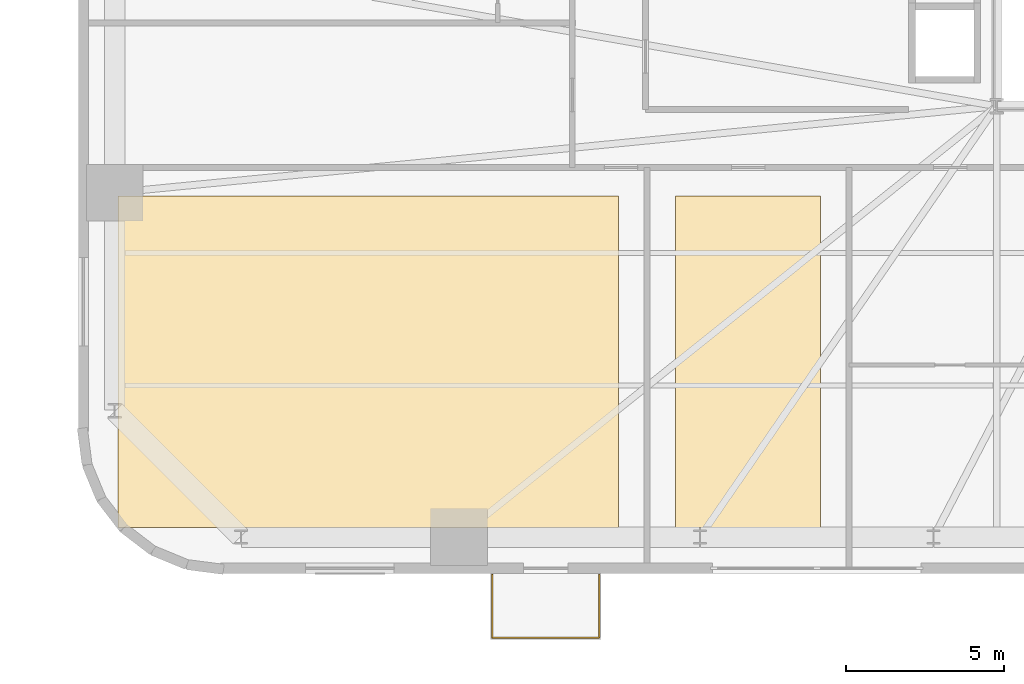
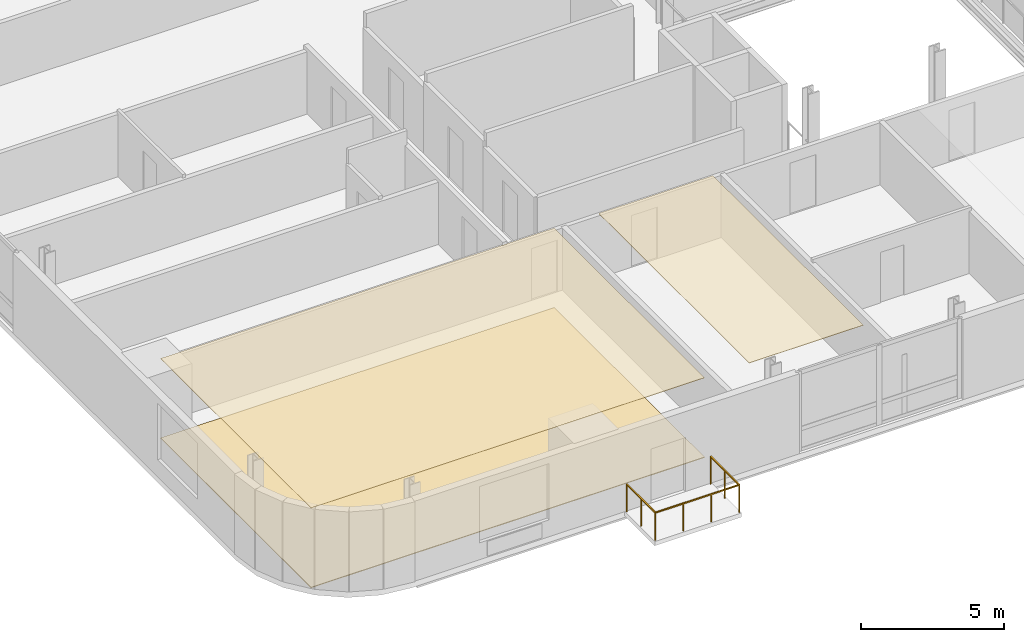
# One storey, part 10 of 13: 3 coverings, 1 railing.
"""IFC4 building model written with IfcOpenShell, lengths in metres."""

from ifc_helpers import new_model, si_unit, direction, frame, origin, origin_2d, place, context, subcontext, project, spatial, polyline, rectangle, outline, extrude, source, transform, mapped, material, layer, layer_set, type_object, element, save


model = new_model("IFC4")

# Units and contexts
model_context = context("Model", 3, precision=1e-05, world=origin(), true_north=direction((0.0, 1.0)))
body_context = subcontext(model_context, "Body", "Model", "MODEL_VIEW")
ifc_project = project(units=[si_unit("LENGTHUNIT", "METRE"), si_unit("AREAUNIT", "SQUARE_METRE"), si_unit("VOLUMEUNIT", "CUBIC_METRE"), si_unit("PLANEANGLEUNIT", "RADIAN"), si_unit("MASSUNIT", "GRAM", prefix="KILO")], contexts=[model_context])

# Site, building, storey
site_placement = place(None, origin())
site = spatial("IfcSite", under=ifc_project, at=site_placement, CompositionType="ELEMENT")
building_placement = place(site_placement, origin())
building = spatial("IfcBuilding", under=site, at=building_placement, Name="Vardaveli Station Tower", CompositionType="ELEMENT")
storey_placement = place(building_placement, frame((0.0, 0.0, 34.89990234375)))
storey = spatial("IfcBuildingStorey", under=building, at=storey_placement, Name="L08", CompositionType="ELEMENT", Elevation=34.89990234375)

# Coverings
ifc_material_1 = material(Name="Perforated acoustic mineral ceiling")
ifc_layer_1 = layer(ifc_material_1, 0.02001953125, Name="Perforated acoustic mineral ceiling")
ifc_layer_set_1 = layer_set([ifc_layer_1], Name="Perforated acoustic mineral ceiling")
covering_type_1 = type_object("IfcCoveringType", Name="COV-CEIL-AC20", PredefinedType="CEILING", material=ifc_layer_set_1)
covering_1_placement = place(storey_placement, frame((0.0, 0.0, 3.39501953125)))
element("IfcCovering", 1, at=covering_1_placement, inside=storey, type_object=covering_type_1, Name="CEIL-L08-1", PredefinedType="CEILING", context=body_context, shape_type="SweptSolid", body=[
    extrude(outline(polyline([(3.35009765625, 3.25), (19.219970703125, 3.25), (19.219970703125, 13.760009765625), (3.35009765625, 13.760009765625), (3.35009765625, 3.25)])), origin(), (0.0, 0.0, 1.0), 0.02001953125),
])
covering_2_placement = place(storey_placement, frame((0.0, 0.0, 3.39501953125)))
element("IfcCovering", 2, at=covering_2_placement, inside=storey, type_object=covering_type_1, Name="CEIL-L08-2", PredefinedType="CEILING", context=body_context, shape_type="SweptSolid", body=[
    extrude(outline(polyline([(21.02001953125, 3.25), (25.623291015625, 3.25), (25.623291015625, 13.760009765625), (21.02001953125, 13.760009765625), (21.02001953125, 3.25)])), origin(), (0.0, 0.0, 1.0), 0.02001953125),
])
ifc_material_2 = material(Name="Honed Caucasian basalt and travertine flooring", Category="masonry")
ifc_layer_2 = layer(ifc_material_2, 0.030029296875, Name="Honed Caucasian basalt and travertine flooring")
ifc_layer_set_2 = layer_set([ifc_layer_2], Name="Honed Caucasian basalt and travertine flooring")
covering_type_2 = type_object("IfcCoveringType", Name="COV-FLOOR-ST30", PredefinedType="FLOORING", material=ifc_layer_set_2)
covering_3_placement = place(storey_placement, origin())
element("IfcCovering", 3, at=covering_3_placement, inside=storey, type_object=covering_type_2, Name="FLR-L08-1", PredefinedType="FLOORING", context=body_context, shape_type="SweptSolid", body=[
    extrude(outline(polyline([(3.35009765625, 3.25), (19.219970703125, 3.25), (19.219970703125, 13.760009765625), (3.35009765625, 13.760009765625), (3.35009765625, 3.25)])), origin(), (0.0, 0.0, 1.0), 0.030029296875),
])

# Railing
ifc_material_3 = material(Name="Laminated glass and stainless steel balustrade", Category="steel")
railing_type = type_object("IfcRailingType", Name="RL-BAL-1200", PredefinedType="BALUSTRADE", material=ifc_material_3)
shared_shape = source(origin(), body_context, "Body", "SweptSolid", [
    extrude(rectangle(XDim=0.048095703125, YDim=0.048095703125, at=origin_2d()), frame((0.0, 0.0, 1.17578125), z_axis=(0.0, -1.0, 0.0), x_axis=(1.0, 0.0, 0.0)), (0.0, 0.0, 1.0), 2.0),
    extrude(rectangle(XDim=0.048095703125, YDim=0.048095703125, at=origin_2d()), frame((0.0, -2.0, 1.17578125), z_axis=(1.0, 0.0, 0.0), x_axis=(0.0, 1.0, 0.0)), (0.0, 0.0, 1.0), 3.3798828125),
    extrude(rectangle(XDim=0.048095703125, YDim=0.048095703125, at=origin_2d()), frame((3.3798828125, -2.0, 1.17578125), z_axis=(0.0, 1.0, 0.0), x_axis=(-1.0, 0.0, 0.0)), (0.0, 0.0, 1.0), 2.0),
    extrude(rectangle(XDim=0.0419921875, YDim=0.0419921875, at=origin_2d()), origin(), (0.0, 0.0, 1.0), 1.15185546875),
    extrude(rectangle(XDim=0.0419921875, YDim=0.0419921875, at=origin_2d()), frame((0.0, -1.0, 0.0)), (0.0, 0.0, 1.0), 1.15185546875),
    extrude(rectangle(XDim=0.0419921875, YDim=0.0419921875, at=origin_2d()), frame((0.0, -2.0, 0.0)), (0.0, 0.0, 1.0), 1.15185546875),
    extrude(rectangle(XDim=0.0419921875, YDim=0.0419921875, at=origin_2d()), frame((1.126708984375, -2.0, 0.0)), (0.0, 0.0, 1.0), 1.15185546875),
    extrude(rectangle(XDim=0.0419921875, YDim=0.0419921875, at=origin_2d()), frame((2.253173828125, -2.0, 0.0)), (0.0, 0.0, 1.0), 1.15185546875),
    extrude(rectangle(XDim=0.0419921875, YDim=0.0419921875, at=origin_2d()), frame((3.3798828125, -2.0, 0.0)), (0.0, 0.0, 1.0), 1.15185546875),
    extrude(rectangle(XDim=0.0419921875, YDim=0.0419921875, at=origin_2d()), frame((3.3798828125, -1.0, 0.0)), (0.0, 0.0, 1.0), 1.15185546875),
    extrude(rectangle(XDim=0.0419921875, YDim=0.0419921875, at=origin_2d()), frame((3.3798828125, 0.0, 0.0)), (0.0, 0.0, 1.0), 1.15185546875),
])
railing_placement = place(storey_placement, frame((15.220458984375, 1.760009765625, 0.0)))
element("IfcRailing", 4, at=railing_placement, inside=storey, type_object=railing_type, Name="RL-LOG-L08-01", PredefinedType="BALUSTRADE", context=body_context, shape_type="MappedRepresentation", body=[
    mapped(shared_shape, transform((0.0, 0.0, 0.0), scale=1.0)),
])

save(model, "model.ifc")
